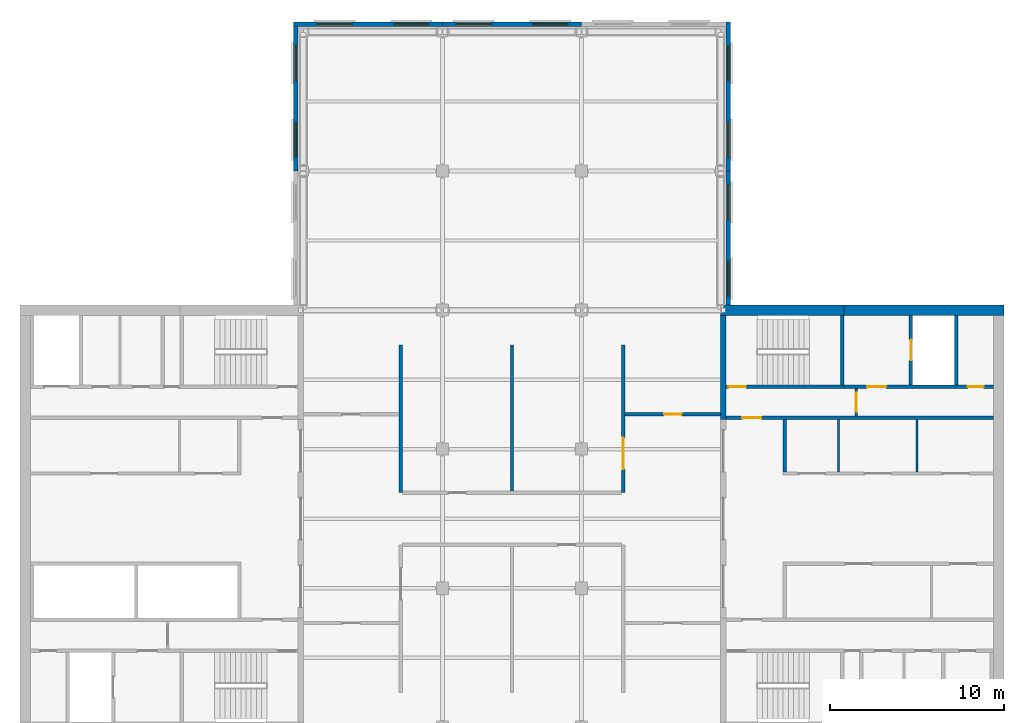
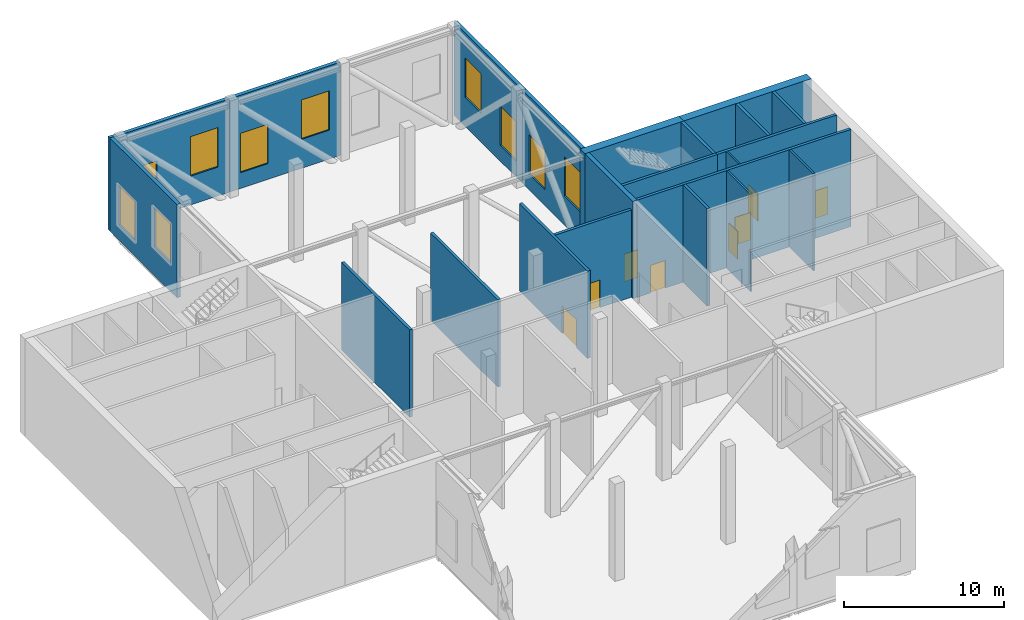
# One storey, part 6 of 10: 22 walls, 10 windows, 8 doors, 18 openings.
"""IFC4 building model written with IfcOpenShell, lengths in metres."""

from ifc_helpers import new_model, si_unit, direction, frame, frame_2d, origin, place, context, subcontext, project, spatial, rectangle, extrude, material, layer, layer_set, constituent, constituent_set, type_object, element, fill, save


model = new_model("IFC4")

# Units and contexts
model_context = context("Model", 3, precision=1e-05, world=origin(), true_north=direction((0.0, 1.0)))
body_context = subcontext(model_context, "Body", "Model", "MODEL_VIEW")
ifc_project = project(units=[si_unit("LENGTHUNIT", "METRE"), si_unit("AREAUNIT", "SQUARE_METRE"), si_unit("VOLUMEUNIT", "CUBIC_METRE"), si_unit("PLANEANGLEUNIT", "RADIAN"), si_unit("MASSUNIT", "GRAM", prefix="KILO")], contexts=[model_context])

# Site, building, storey
site_placement = place(None, origin())
site = spatial("IfcSite", under=ifc_project, at=site_placement, CompositionType="ELEMENT")
building_placement = place(site_placement, origin())
building = spatial("IfcBuilding", under=site, at=building_placement, Name="Crosswind Convention Tower", CompositionType="ELEMENT")
storey_placement = place(building_placement, frame((0.0, 0.0, 237.699951171875)))
storey = spatial("IfcBuildingStorey", under=building, at=storey_placement, Name="L51", CompositionType="ELEMENT", Elevation=237.699951171875)

# Walls
ifc_material_1 = material(Name="Concrete blockwork", Category="masonry")
ifc_layer_1 = layer(ifc_material_1, 0.199951171875)
ifc_layer_set_1 = layer_set([ifc_layer_1], Name="COMPARTMENT WALL 200 BLOCKWORK")
wall_type_1 = type_object("IfcWallType", Name="COMPARTMENT WALL 200 BLOCKWORK", PredefinedType="SOLIDWALL", material=ifc_layer_set_1)
wall_1_placement = place(storey_placement, frame((118.60009765625, 101.5, 0.0), z_axis=(0.0, 0.0, 1.0), x_axis=(0.0, 1.0, 0.0)))
element("IfcWall", 1, at=wall_1_placement, inside=storey, type_object=wall_type_1, Name="Compartment wall WT42", PredefinedType="SOLIDWALL", context=body_context, shape_type="SweptSolid", body=[
    extrude(rectangle(XDim=8.5, YDim=0.199951171875, at=frame_2d((4.25, 0.0))), origin(), (0.0, 0.0, 1.0), 6.642822265625),
])
wall_2_placement = place(storey_placement, frame((125.0, 101.60009765625, 0.0), z_axis=(0.0, 0.0, 1.0), x_axis=(0.0, 1.0, 0.0)))
element("IfcWall", 2, at=wall_2_placement, inside=storey, type_object=wall_type_1, Name="Compartment wall WT42", PredefinedType="SOLIDWALL", context=body_context, shape_type="SweptSolid", body=[
    extrude(rectangle(XDim=8.39990234375, YDim=0.199951171875, at=frame_2d((4.199951171875, 0.0))), origin(), (0.0, 0.0, 1.0), 6.642822265625),
])

# Wall, opening, door
wall_3_placement = place(storey_placement, frame((131.39990234375, 101.5, 0.0), z_axis=(0.0, 0.0, 1.0), x_axis=(0.0, 1.0, 0.0)))
wall_3 = element("IfcWall", 3, at=wall_3_placement, inside=storey, type_object=wall_type_1, Name="Compartment wall WT42", PredefinedType="SOLIDWALL", context=body_context, shape_type="SweptSolid", body=[
    extrude(rectangle(XDim=8.5, YDim=0.199951171875, at=frame_2d((4.25, 0.0))), origin(), (0.0, 0.0, 1.0), 6.642822265625),
])
opening_1_placement = place(wall_3_placement, frame((1.35009765625, 0.0, 0.0)))
opening_1 = element("IfcOpeningElement", 4, at=opening_1_placement, cuts=wall_3, Name="Opening L51-55", PredefinedType="OPENING", context=body_context, shape_type="SweptSolid", body=[
    extrude(rectangle(XDim=1.800048828125, YDim=2.10009765625, at=frame_2d((0.89990234375, 1.050048828125))), frame((0.0, 0.10986328125, 0.0), z_axis=(0.0, -1.0, 0.0), x_axis=(1.0, 0.0, 0.0)), (0.0, 0.0, 1.0), 0.219970703125),
])
ifc_material_2 = material(Name="Steel fire door", Category="steel")
door_type_1 = type_object("IfcDoorType", Name="REFUGE AREA DOUBLE DOOR 1800X2100 FD60S", OperationType="DOUBLE_DOOR_SINGLE_SWING", PredefinedType="DOOR", material=ifc_material_2)
door_1_placement = place(opening_1_placement, origin())
door_1 = element("IfcDoor", 5, at=door_1_placement, inside=storey, type_object=door_type_1, Name="Door L51-55", ObjectType="D47", OperationType="DOUBLE_DOOR_SINGLE_SWING", OverallHeight=2.10009765625, OverallWidth=1.800048828125, PredefinedType="DOOR", context=body_context, shape_type="SweptSolid", body=[
    extrude(rectangle(XDim=1.800048828125, YDim=2.10009765625, at=frame_2d((0.89990234375, 1.050048828125))), frame((0.0, 0.02490234375, 0.0), z_axis=(0.0, -1.0, 0.0), x_axis=(1.0, 0.0, 0.0)), (0.0, 0.0, 1.0), 0.050048828125),
])
fill(opening_1, door_1)

wall_4_placement = place(storey_placement, frame((131.5, 106.0, 0.0), z_axis=(0.0, 0.0, 1.0), x_axis=(1.0, 0.0, 0.0)))
wall_4 = element("IfcWall", 6, at=wall_4_placement, inside=storey, type_object=wall_type_1, Name="Compartment wall WT42", PredefinedType="SOLIDWALL", context=body_context, shape_type="SweptSolid", body=[
    extrude(rectangle(XDim=5.5, YDim=0.199951171875, at=frame_2d((2.75, 0.0))), origin(), (0.0, 0.0, 1.0), 6.642822265625),
])
opening_2_placement = place(wall_4_placement, frame((2.25, 0.0, 0.0)))
opening_2 = element("IfcOpeningElement", 7, at=opening_2_placement, cuts=wall_4, Name="Opening L51-51", PredefinedType="OPENING", context=body_context, shape_type="SweptSolid", body=[
    extrude(rectangle(XDim=1.0, YDim=2.10009765625, at=frame_2d((0.5, 1.050048828125))), frame((0.0, 0.10986328125, 0.0), z_axis=(0.0, -1.0, 0.0), x_axis=(1.0, 0.0, 0.0)), (0.0, 0.0, 1.0), 0.219970703125),
])
door_type_2 = type_object("IfcDoorType", Name="PLANT ROOM DOOR 1000X2100 FD60", OperationType="NOTDEFINED", PredefinedType="DOOR", material=ifc_material_2)
door_2_placement = place(opening_2_placement, origin())
door_2 = element("IfcDoor", 8, at=door_2_placement, inside=storey, type_object=door_type_2, Name="Door L51-51", ObjectType="D43", OperationType="SINGLE_SWING_RIGHT", OverallHeight=2.10009765625, OverallWidth=1.0, PredefinedType="DOOR", context=body_context, shape_type="SweptSolid", body=[
    extrude(rectangle(XDim=1.0, YDim=2.10009765625, at=frame_2d((0.5, 1.050048828125))), frame((0.0, 0.02490234375, 0.0), z_axis=(0.0, -1.0, 0.0), x_axis=(1.0, 0.0, 0.0)), (0.0, 0.0, 1.0), 0.050048828125),
])
fill(opening_2, door_2)

# Walls
ifc_material_3 = material(Name="Concrete C50/60", Category="concrete")
ifc_layer_2 = layer(ifc_material_3, 0.300048828125)
ifc_layer_set_2 = layer_set([ifc_layer_2], Name="Concrete C50/60")
wall_type_2 = type_object("IfcWallType", Name="Concrete inner core wall 300", PredefinedType="SHEAR", material=ifc_layer_set_2)
wall_5_placement = place(storey_placement, frame((137.14990234375, 105.699951171875, 0.0), z_axis=(0.0, 0.0, 1.0), x_axis=(0.0, 1.0, 0.0)))
element("IfcWall", 9, at=wall_5_placement, inside=storey, type_object=wall_type_2, Name="Wall EP E L51", PredefinedType="SHEAR", context=body_context, shape_type="SweptSolid", body=[
    extrude(rectangle(XDim=6.0, YDim=0.300048828125, at=frame_2d((3.0, 0.0))), origin(), (0.0, 0.0, 1.0), 7.400146484375),
])
ifc_layer_3 = layer(ifc_material_3, 0.199951171875)
ifc_layer_set_3 = layer_set([ifc_layer_3], Name="Concrete C50/60")
wall_type_3 = type_object("IfcWallType", Name="Concrete shaft and stair wall 200", PredefinedType="SHEAR", material=ifc_layer_set_3)
wall_6_placement = place(storey_placement, frame((140.699951171875, 102.699951171875, 0.0), z_axis=(0.0, 0.0, 1.0), x_axis=(0.0, 1.0, 0.0)))
element("IfcWall", 10, at=wall_6_placement, inside=storey, type_object=wall_type_3, Name="Wall RPEND E L51", PredefinedType="SHEAR", context=body_context, shape_type="SweptSolid", body=[
    extrude(rectangle(XDim=3.0, YDim=0.199951171875, at=frame_2d((1.5, 0.0))), origin(), (0.0, 0.0, 1.0), 7.400146484375),
])

# Wall, opening, door
wall_7_placement = place(storey_placement, frame((137.300048828125, 105.800048828125, 0.0), z_axis=(0.0, 0.0, 1.0), x_axis=(1.0, 0.0, 0.0)))
wall_7 = element("IfcWall", 11, at=wall_7_placement, inside=storey, type_object=wall_type_3, Name="Wall HP E L51", PredefinedType="SHEAR", context=body_context, shape_type="SweptSolid", body=[
    extrude(rectangle(XDim=15.39990234375, YDim=0.199951171875, at=frame_2d((7.699951171875, 0.0))), origin(), (0.0, 0.0, 1.0), 7.400146484375),
])
opening_3_placement = place(wall_7_placement, frame((0.949951171875, 0.0, 0.0)))
opening_3 = element("IfcOpeningElement", 12, at=opening_3_placement, cuts=wall_7, Name="Opening D104", PredefinedType="OPENING", context=body_context, shape_type="SweptSolid", body=[
    extrude(rectangle(XDim=1.10009765625, YDim=2.10009765625, at=frame_2d((0.550048828125, 1.050048828125))), frame((0.0, 0.10986328125, 0.0), z_axis=(0.0, -1.0, 0.0), x_axis=(1.0, 0.0, 0.0)), (0.0, 0.0, 1.0), 0.219970703125),
])
door_type_3 = type_object("IfcDoorType", Name="Fire-rated single door 1100x2100", OperationType="NOTDEFINED", PredefinedType="DOOR", material=ifc_material_2)
door_3_placement = place(opening_3_placement, origin())
door_3 = element("IfcDoor", 13, at=door_3_placement, inside=storey, type_object=door_type_3, Name="Corridor door L51", ObjectType="D104", OperationType="SINGLE_SWING_LEFT", OverallHeight=2.10009765625, OverallWidth=1.10009765625, PredefinedType="DOOR", context=body_context, shape_type="SweptSolid", body=[
    extrude(rectangle(XDim=1.10009765625, YDim=2.10009765625, at=frame_2d((0.550048828125, 1.050048828125))), frame((0.0, 0.02490234375, 0.0), z_axis=(0.0, -1.0, 0.0), x_axis=(1.0, 0.0, 0.0)), (0.0, 0.0, 1.0), 0.050048828125),
])
fill(opening_3, door_3)

# Wall
wall_8_placement = place(storey_placement, frame((144.0, 107.699951171875, 0.0), z_axis=(0.0, 0.0, 1.0), x_axis=(0.0, 1.0, 0.0)))
element("IfcWall", 14, at=wall_8_placement, inside=storey, type_object=wall_type_3, Name="Wall PSE E L51", PredefinedType="SHEAR", context=body_context, shape_type="SweptSolid", body=[
    extrude(rectangle(XDim=4.0, YDim=0.199951171875, at=frame_2d((2.0, 0.0))), origin(), (0.0, 0.0, 1.0), 7.400146484375),
])

# Wall, opening, door
wall_9_placement = place(storey_placement, frame((147.949951171875, 107.699951171875, 0.0), z_axis=(0.0, 0.0, 1.0), x_axis=(0.0, 1.0, 0.0)))
wall_9 = element("IfcWall", 15, at=wall_9_placement, inside=storey, type_object=wall_type_3, Name="Wall PFLW E L51", PredefinedType="SHEAR", context=body_context, shape_type="SweptSolid", body=[
    extrude(rectangle(XDim=4.0, YDim=0.199951171875, at=frame_2d((2.0, 0.0))), origin(), (0.0, 0.0, 1.0), 7.400146484375),
])
opening_4_placement = place(wall_9_placement, frame((1.39990234375, 0.0, 0.0)))
opening_4 = element("IfcOpeningElement", 16, at=opening_4_placement, cuts=wall_9, Name="Opening LD1", PredefinedType="OPENING", context=body_context, shape_type="SweptSolid", body=[
    extrude(rectangle(XDim=1.199951171875, YDim=2.10009765625, at=frame_2d((0.60009765625, 1.050048828125))), frame((0.0, 0.10986328125, 0.0), z_axis=(0.0, -1.0, 0.0), x_axis=(1.0, 0.0, 0.0)), (0.0, 0.0, 1.0), 0.219970703125),
])
ifc_material_4 = material(Name="Stainless steel", Category="steel")
door_type_4 = type_object("IfcDoorType", Name="Lift landing door 1200x2100", OperationType="DOUBLE_DOOR_SLIDING", PredefinedType="DOOR", material=ifc_material_4)
door_4_placement = place(opening_4_placement, origin())
door_4 = element("IfcDoor", 17, at=door_4_placement, inside=storey, type_object=door_type_4, Name="Landing door FF1 L51", ObjectType="LD1", OperationType="DOUBLE_DOOR_SLIDING", OverallHeight=2.10009765625, OverallWidth=1.199951171875, PredefinedType="DOOR", context=body_context, shape_type="SweptSolid", body=[
    extrude(rectangle(XDim=1.199951171875, YDim=2.10009765625, at=frame_2d((0.60009765625, 1.050048828125))), frame((0.0, 0.02490234375, 0.0), z_axis=(0.0, -1.0, 0.0), x_axis=(1.0, 0.0, 0.0)), (0.0, 0.0, 1.0), 0.050048828125),
])
fill(opening_4, door_4)

# Wall
wall_10_placement = place(storey_placement, frame((150.550048828125, 107.699951171875, 0.0), z_axis=(0.0, 0.0, 1.0), x_axis=(0.0, 1.0, 0.0)))
element("IfcWall", 18, at=wall_10_placement, inside=storey, type_object=wall_type_3, Name="Wall PFSE E L51", PredefinedType="SHEAR", context=body_context, shape_type="SweptSolid", body=[
    extrude(rectangle(XDim=4.0, YDim=0.199951171875, at=frame_2d((2.0, 0.0))), origin(), (0.0, 0.0, 1.0), 7.400146484375),
])

# Wall, opening, door
wall_11_placement = place(storey_placement, frame((137.300048828125, 107.60009765625, 0.0), z_axis=(0.0, 0.0, 1.0), x_axis=(1.0, 0.0, 0.0)))
wall_11 = element("IfcWall", 19, at=wall_11_placement, inside=storey, type_object=wall_type_3, Name="Wall PCW E L51", PredefinedType="SHEAR", context=body_context, shape_type="SweptSolid", body=[
    extrude(rectangle(XDim=6.800048828125, YDim=0.199951171875, at=frame_2d((3.39990234375, 0.0))), origin(), (0.0, 0.0, 1.0), 7.400146484375),
])
opening_5_placement = place(wall_11_placement, frame((0.14990234375, 0.0, 0.0)))
opening_5 = element("IfcOpeningElement", 20, at=opening_5_placement, cuts=wall_11, Name="Opening D103", PredefinedType="OPENING", context=body_context, shape_type="SweptSolid", body=[
    extrude(rectangle(XDim=1.0, YDim=2.10009765625, at=frame_2d((0.5, 1.050048828125))), frame((0.0, 0.10986328125, 0.0), z_axis=(0.0, -1.0, 0.0), x_axis=(1.0, 0.0, 0.0)), (0.0, 0.0, 1.0), 0.219970703125),
])
door_type_5 = type_object("IfcDoorType", Name="Fire-rated single door 1000x2100", OperationType="NOTDEFINED", PredefinedType="DOOR", material=ifc_material_2)
door_5_placement = place(opening_5_placement, origin())
door_5 = element("IfcDoor", 21, at=door_5_placement, inside=storey, type_object=door_type_5, Name="Stair ST1 door L51", ObjectType="D103", OperationType="SINGLE_SWING_LEFT", OverallHeight=2.10009765625, OverallWidth=1.0, PredefinedType="DOOR", context=body_context, shape_type="SweptSolid", body=[
    extrude(rectangle(XDim=1.0, YDim=2.10009765625, at=frame_2d((0.5, 1.050048828125))), frame((0.0, 0.02490234375, 0.0), z_axis=(0.0, -1.0, 0.0), x_axis=(1.0, 0.0, 0.0)), (0.0, 0.0, 1.0), 0.050048828125),
])
fill(opening_5, door_5)

# Wall, openings, doors
wall_12_placement = place(storey_placement, frame((144.10009765625, 107.60009765625, 0.0), z_axis=(0.0, 0.0, 1.0), x_axis=(1.0, 0.0, 0.0)))
wall_12 = element("IfcWall", 22, at=wall_12_placement, inside=storey, type_object=wall_type_3, Name="Wall PCX E L51", PredefinedType="SHEAR", context=body_context, shape_type="SweptSolid", body=[
    extrude(rectangle(XDim=8.599853515625, YDim=0.199951171875, at=frame_2d((4.2998046875, 0.0))), origin(), (0.0, 0.0, 1.0), 7.400146484375),
])
opening_6_placement = place(wall_12_placement, frame((1.324951171875, 0.0, 0.0)))
opening_6 = element("IfcOpeningElement", 23, at=opening_6_placement, cuts=wall_12, Name="Opening D104", PredefinedType="OPENING", context=body_context, shape_type="SweptSolid", body=[
    extrude(rectangle(XDim=1.10009765625, YDim=2.10009765625, at=frame_2d((0.550048828125, 1.050048828125))), frame((0.0, 0.10986328125, 0.0), z_axis=(0.0, -1.0, 0.0), x_axis=(1.0, 0.0, 0.0)), (0.0, 0.0, 1.0), 0.219970703125),
])
opening_7_placement = place(wall_12_placement, frame((7.125, 0.0, 0.0)))
opening_7 = element("IfcOpeningElement", 24, at=opening_7_placement, cuts=wall_12, Name="Opening D106", PredefinedType="OPENING", context=body_context, shape_type="SweptSolid", body=[
    extrude(rectangle(XDim=0.89990234375, YDim=2.10009765625, at=frame_2d((0.449951171875, 1.050048828125))), frame((0.0, 0.10986328125, 0.0), z_axis=(0.0, -1.0, 0.0), x_axis=(1.0, 0.0, 0.0)), (0.0, 0.0, 1.0), 0.219970703125),
])
door_6_placement = place(opening_6_placement, origin())
door_6 = element("IfcDoor", 25, at=door_6_placement, inside=storey, type_object=door_type_3, Name="Fire-fighting lobby FF1 door L51", ObjectType="D104", OperationType="SINGLE_SWING_RIGHT", OverallHeight=2.10009765625, OverallWidth=1.10009765625, PredefinedType="DOOR", context=body_context, shape_type="SweptSolid", body=[
    extrude(rectangle(XDim=1.10009765625, YDim=2.10009765625, at=frame_2d((0.550048828125, 1.050048828125))), frame((0.0, 0.02490234375, 0.0), z_axis=(0.0, -1.0, 0.0), x_axis=(1.0, 0.0, 0.0)), (0.0, 0.0, 1.0), 0.050048828125),
])
fill(opening_6, door_6)
ifc_material_5 = material(Name="Timber door", Category="wood")
door_type_6 = type_object("IfcDoorType", Name="Single leaf door 900x2100", OperationType="NOTDEFINED", PredefinedType="DOOR", material=ifc_material_5)
door_7_placement = place(opening_7_placement, origin())
door_7 = element("IfcDoor", 26, at=door_7_placement, inside=storey, type_object=door_type_6, Name="Door to electrical plant room L51", ObjectType="D106", OperationType="SINGLE_SWING_RIGHT", OverallHeight=2.10009765625, OverallWidth=0.89990234375, PredefinedType="DOOR", context=body_context, shape_type="SweptSolid", body=[
    extrude(rectangle(XDim=0.89990234375, YDim=2.10009765625, at=frame_2d((0.449951171875, 1.050048828125))), frame((0.0, 0.02490234375, 0.0), z_axis=(0.0, -1.0, 0.0), x_axis=(1.0, 0.0, 0.0)), (0.0, 0.0, 1.0), 0.050048828125),
])
fill(opening_7, door_7)

# Walls
ifc_material_6 = material(Name="Gypsum plasterboard partition", Category="gypsum")
ifc_layer_4 = layer(ifc_material_6, 0.125)
ifc_layer_set_4 = layer_set([ifc_layer_4], Name="Drywall partition wall 125")
wall_type_4 = type_object("IfcWallType", Name="Drywall partition wall 125", PredefinedType="PARTITIONING", material=ifc_layer_set_4)
for number, where, z_axis, x_axis, name in (
    (27, (143.77490234375, 102.699951171875, 0.0), (0.0, 0.0, 1.0), (0.0, 1.0, 0.0), "Wall RPP1 E L51"),
    (28, (148.297119140625, 102.699951171875, 0.0), (0.0, 0.0, 1.0), (0.0, 1.0, 0.0), "Wall RPP2 E L51"),
):
    element("IfcWall", number, at=place(storey_placement, frame(where, z_axis=z_axis, x_axis=x_axis)), inside=storey, type_object=wall_type_4, Name=name, PredefinedType="PARTITIONING", context=body_context, shape_type="SweptSolid", body=[
        extrude(rectangle(XDim=3.0, YDim=0.125, at=frame_2d((1.5, 0.0))), origin(), (0.0, 0.0, 1.0), 7.400146484375),
    ])

# Wall, opening, door
wall_13_placement = place(storey_placement, frame((144.800048828125, 105.89990234375, 0.0), z_axis=(0.0, 0.0, 1.0), x_axis=(0.0, 1.0, 0.0)))
wall_13 = element("IfcWall", 29, at=wall_13_placement, inside=storey, type_object=wall_type_4, Name="Wall PXC1 E L51", PredefinedType="PARTITIONING", context=body_context, shape_type="SweptSolid", body=[
    extrude(rectangle(XDim=1.60009765625, YDim=0.125, at=frame_2d((0.800048828125, 0.0))), origin(), (0.0, 0.0, 1.0), 7.400146484375),
])
opening_8_placement = place(wall_13_placement, frame((0.25, 0.0, 0.0)))
opening_8 = element("IfcOpeningElement", 30, at=opening_8_placement, cuts=wall_13, Name="Opening D104", PredefinedType="OPENING", context=body_context, shape_type="SweptSolid", body=[
    extrude(rectangle(XDim=1.10009765625, YDim=2.10009765625, at=frame_2d((0.550048828125, 1.050048828125))), frame((0.0, 0.072509765625, 0.0), z_axis=(0.0, -1.0, 0.0), x_axis=(1.0, 0.0, 0.0)), (0.0, 0.0, 1.0), 0.14501953125),
])
door_8_placement = place(opening_8_placement, origin())
door_8 = element("IfcDoor", 31, at=door_8_placement, inside=storey, type_object=door_type_3, Name="Corridor smoke door L51", ObjectType="D104", OperationType="SINGLE_SWING_RIGHT", OverallHeight=2.10009765625, OverallWidth=1.10009765625, PredefinedType="DOOR", context=body_context, shape_type="SweptSolid", body=[
    extrude(rectangle(XDim=1.10009765625, YDim=2.10009765625, at=frame_2d((0.550048828125, 1.050048828125))), frame((0.0, 0.02490234375, 0.0), z_axis=(0.0, -1.0, 0.0), x_axis=(1.0, 0.0, 0.0)), (0.0, 0.0, 1.0), 0.050048828125),
])
fill(opening_8, door_8)

# Wall, openings, windows
ifc_material_7 = material(Name="Terracotta rainscreen", Category="ceramic")
ifc_layer_5 = layer(ifc_material_7, 0.02001953125)
ifc_material_8 = material(Name="Mineral wool insulation", Category="insulation")
ifc_layer_6 = layer(ifc_material_8, 0.10009765625)
ifc_material_9 = material(Name="Steel S355", Category="steel")
ifc_layer_7 = layer(ifc_material_9, 0.139892578125)
ifc_layer_set_5 = layer_set([ifc_layer_5, ifc_layer_6, ifc_layer_7], Name="Terracotta rainscreen, Mineral wool insulation, Steel S355")
wall_type_5 = type_object("IfcWallType", Name="TERRACOTTA PLANT WALL 260", PredefinedType="SOLIDWALL", material=ifc_layer_set_5)
wall_14_placement = place(storey_placement, frame((137.43505859375, 112.300048828125, 0.0), z_axis=(0.0, 0.0, 1.0), x_axis=(0.0, 1.0, 0.0)))
wall_14 = element("IfcWall", 32, at=wall_14_placement, inside=storey, type_object=wall_type_5, Name="Plant room wall L51 N-E.1-1", PredefinedType="SOLIDWALL", context=body_context, shape_type="SweptSolid", body=[
    extrude(rectangle(XDim=7.699951171875, YDim=0.260009765625, at=frame_2d((3.85009765625, 0.0))), origin(), (0.0, 0.0, 1.0), 7.10009765625),
])
opening_9_placement = place(wall_14_placement, frame((0.5, 0.0, 2.199951171875)))
opening_9 = element("IfcOpeningElement", 33, at=opening_9_placement, cuts=wall_14, Name="Opening W11", PredefinedType="OPENING", context=body_context, shape_type="SweptSolid", body=[
    extrude(rectangle(XDim=2.0, YDim=3.0, at=frame_2d((1.0, 1.5))), frame((0.0, 0.139892578125, 0.0), z_axis=(0.0, -1.0, 0.0), x_axis=(1.0, 0.0, 0.0)), (0.0, 0.0, 1.0), 0.280029296875),
])
opening_10_placement = place(wall_14_placement, frame((4.89990234375, 0.0, 1.199951171875)))
opening_10 = element("IfcOpeningElement", 34, at=opening_10_placement, cuts=wall_14, Name="Opening W11", PredefinedType="OPENING", context=body_context, shape_type="SweptSolid", body=[
    extrude(rectangle(XDim=2.0, YDim=3.0, at=frame_2d((1.0, 1.5))), frame((0.0, 0.139892578125, 0.0), z_axis=(0.0, -1.0, 0.0), x_axis=(1.0, 0.0, 0.0)), (0.0, 0.0, 1.0), 0.280029296875),
])
ifc_material_10 = material(Name="Aluminium louvre", Category="aluminium")
window_type = type_object("IfcWindowType", Name="LOUVRE VENT 2000X3000", PartitioningType="SINGLE_PANEL", PredefinedType="WINDOW", material=ifc_material_10)
window_1_placement = place(opening_9_placement, origin())
window_1 = element("IfcWindow", 35, at=window_1_placement, inside=storey, type_object=window_type, Name="W11 louvre vent L51 N-E.1-1.1", ObjectType="W11", OverallHeight=3.0, OverallWidth=2.0, PartitioningType="SINGLE_PANEL", PredefinedType="WINDOW", context=body_context, shape_type="SweptSolid", body=[
    extrude(rectangle(XDim=2.0, YDim=3.0, at=frame_2d((1.0, 1.5))), frame((0.0, 0.030029296875, 0.0), z_axis=(0.0, -1.0, 0.0), x_axis=(1.0, 0.0, 0.0)), (0.0, 0.0, 1.0), 0.06005859375),
])
fill(opening_9, window_1)
window_2_placement = place(opening_10_placement, origin())
window_2 = element("IfcWindow", 36, at=window_2_placement, inside=storey, type_object=window_type, Name="W11 louvre vent L51 N-E.1-1.2", ObjectType="W11", OverallHeight=3.0, OverallWidth=2.0, PartitioningType="SINGLE_PANEL", PredefinedType="WINDOW", context=body_context, shape_type="SweptSolid", body=[
    extrude(rectangle(XDim=2.0, YDim=3.0, at=frame_2d((1.0, 1.5))), frame((0.0, 0.030029296875, 0.0), z_axis=(0.0, -1.0, 0.0), x_axis=(1.0, 0.0, 0.0)), (0.0, 0.0, 1.0), 0.06005859375),
])
fill(opening_10, window_2)

wall_15_placement = place(storey_placement, frame((137.43505859375, 120.0, 0.0), z_axis=(0.0, 0.0, 1.0), x_axis=(0.0, 1.0, 0.0)))
wall_15 = element("IfcWall", 37, at=wall_15_placement, inside=storey, type_object=wall_type_5, Name="Plant room wall L51 N-E.1-2", PredefinedType="SOLIDWALL", context=body_context, shape_type="SweptSolid", body=[
    extrude(rectangle(XDim=8.56494140625, YDim=0.260009765625, at=frame_2d((4.282470703125, 0.0))), origin(), (0.0, 0.0, 1.0), 7.10009765625),
])
opening_11_placement = place(wall_15_placement, frame((0.800048828125, 0.0, 1.199951171875)))
opening_11 = element("IfcOpeningElement", 38, at=opening_11_placement, cuts=wall_15, Name="Opening W11", PredefinedType="OPENING", context=body_context, shape_type="SweptSolid", body=[
    extrude(rectangle(XDim=2.0, YDim=3.0, at=frame_2d((1.0, 1.5))), frame((0.0, 0.139892578125, 0.0), z_axis=(0.0, -1.0, 0.0), x_axis=(1.0, 0.0, 0.0)), (0.0, 0.0, 1.0), 0.280029296875),
])
opening_12_placement = place(wall_15_placement, frame((5.199951171875, 0.0, 2.199951171875)))
opening_12 = element("IfcOpeningElement", 39, at=opening_12_placement, cuts=wall_15, Name="Opening W11", PredefinedType="OPENING", context=body_context, shape_type="SweptSolid", body=[
    extrude(rectangle(XDim=2.0, YDim=3.0, at=frame_2d((1.0, 1.5))), frame((0.0, 0.139892578125, 0.0), z_axis=(0.0, -1.0, 0.0), x_axis=(1.0, 0.0, 0.0)), (0.0, 0.0, 1.0), 0.280029296875),
])
window_3_placement = place(opening_11_placement, origin())
window_3 = element("IfcWindow", 40, at=window_3_placement, inside=storey, type_object=window_type, Name="W11 louvre vent L51 N-E.1-2.1", ObjectType="W11", OverallHeight=3.0, OverallWidth=2.0, PartitioningType="SINGLE_PANEL", PredefinedType="WINDOW", context=body_context, shape_type="SweptSolid", body=[
    extrude(rectangle(XDim=2.0, YDim=3.0, at=frame_2d((1.0, 1.5))), frame((0.0, 0.030029296875, 0.0), z_axis=(0.0, -1.0, 0.0), x_axis=(1.0, 0.0, 0.0)), (0.0, 0.0, 1.0), 0.06005859375),
])
fill(opening_11, window_3)
window_4_placement = place(opening_12_placement, origin())
window_4 = element("IfcWindow", 41, at=window_4_placement, inside=storey, type_object=window_type, Name="W11 louvre vent L51 N-E.1-2.2", ObjectType="W11", OverallHeight=3.0, OverallWidth=2.0, PartitioningType="SINGLE_PANEL", PredefinedType="WINDOW", context=body_context, shape_type="SweptSolid", body=[
    extrude(rectangle(XDim=2.0, YDim=3.0, at=frame_2d((1.0, 1.5))), frame((0.0, 0.030029296875, 0.0), z_axis=(0.0, -1.0, 0.0), x_axis=(1.0, 0.0, 0.0)), (0.0, 0.0, 1.0), 0.06005859375),
])
fill(opening_12, window_4)

wall_16_placement = place(storey_placement, frame((129.0, 128.43505859375, 0.0), z_axis=(0.0, 0.0, 1.0), x_axis=(-1.0, 0.0, 0.0)))
wall_16 = element("IfcWall", 42, at=wall_16_placement, inside=storey, type_object=wall_type_5, Name="Plant room wall L51 N-TIP.1-2", PredefinedType="SOLIDWALL", context=body_context, shape_type="SweptSolid", body=[
    extrude(rectangle(XDim=8.0, YDim=0.260009765625, at=frame_2d((4.0, 0.0))), origin(), (0.0, 0.0, 1.0), 7.10009765625),
])
opening_13_placement = place(wall_16_placement, frame((0.800048828125, 0.0, 2.199951171875)))
opening_13 = element("IfcOpeningElement", 43, at=opening_13_placement, cuts=wall_16, Name="Opening W11", PredefinedType="OPENING", context=body_context, shape_type="SweptSolid", body=[
    extrude(rectangle(XDim=2.0, YDim=3.0, at=frame_2d((1.0, 1.5))), frame((0.0, 0.139892578125, 0.0), z_axis=(0.0, -1.0, 0.0), x_axis=(1.0, 0.0, 0.0)), (0.0, 0.0, 1.0), 0.280029296875),
])
opening_14_placement = place(wall_16_placement, frame((5.199951171875, 0.0, 1.199951171875)))
opening_14 = element("IfcOpeningElement", 44, at=opening_14_placement, cuts=wall_16, Name="Opening W11", PredefinedType="OPENING", context=body_context, shape_type="SweptSolid", body=[
    extrude(rectangle(XDim=2.0, YDim=3.0, at=frame_2d((1.0, 1.5))), frame((0.0, 0.139892578125, 0.0), z_axis=(0.0, -1.0, 0.0), x_axis=(1.0, 0.0, 0.0)), (0.0, 0.0, 1.0), 0.280029296875),
])
window_5_placement = place(opening_13_placement, origin())
window_5 = element("IfcWindow", 45, at=window_5_placement, inside=storey, type_object=window_type, Name="W11 louvre vent L51 N-TIP.1-2.1", ObjectType="W11", OverallHeight=3.0, OverallWidth=2.0, PartitioningType="SINGLE_PANEL", PredefinedType="WINDOW", context=body_context, shape_type="SweptSolid", body=[
    extrude(rectangle(XDim=2.0, YDim=3.0, at=frame_2d((1.0, 1.5))), frame((0.0, 0.030029296875, 0.0), z_axis=(0.0, -1.0, 0.0), x_axis=(1.0, 0.0, 0.0)), (0.0, 0.0, 1.0), 0.06005859375),
])
fill(opening_13, window_5)
window_6_placement = place(opening_14_placement, origin())
window_6 = element("IfcWindow", 46, at=window_6_placement, inside=storey, type_object=window_type, Name="W11 louvre vent L51 N-TIP.1-2.2", ObjectType="W11", OverallHeight=3.0, OverallWidth=2.0, PartitioningType="SINGLE_PANEL", PredefinedType="WINDOW", context=body_context, shape_type="SweptSolid", body=[
    extrude(rectangle(XDim=2.0, YDim=3.0, at=frame_2d((1.0, 1.5))), frame((0.0, 0.030029296875, 0.0), z_axis=(0.0, -1.0, 0.0), x_axis=(1.0, 0.0, 0.0)), (0.0, 0.0, 1.0), 0.06005859375),
])
fill(opening_14, window_6)

wall_17_placement = place(storey_placement, frame((121.0, 128.43505859375, 0.0), z_axis=(0.0, 0.0, 1.0), x_axis=(-1.0, 0.0, 0.0)))
wall_17 = element("IfcWall", 47, at=wall_17_placement, inside=storey, type_object=wall_type_5, Name="Plant room wall L51 N-TIP.1-3", PredefinedType="SOLIDWALL", context=body_context, shape_type="SweptSolid", body=[
    extrude(rectangle(XDim=8.56494140625, YDim=0.260009765625, at=frame_2d((4.282470703125, 0.0))), origin(), (0.0, 0.0, 1.0), 7.10009765625),
])
opening_15_placement = place(wall_17_placement, frame((0.800048828125, 0.0, 2.199951171875)))
opening_15 = element("IfcOpeningElement", 48, at=opening_15_placement, cuts=wall_17, Name="Opening W11", PredefinedType="OPENING", context=body_context, shape_type="SweptSolid", body=[
    extrude(rectangle(XDim=2.0, YDim=3.0, at=frame_2d((1.0, 1.5))), frame((0.0, 0.139892578125, 0.0), z_axis=(0.0, -1.0, 0.0), x_axis=(1.0, 0.0, 0.0)), (0.0, 0.0, 1.0), 0.280029296875),
])
opening_16_placement = place(wall_17_placement, frame((5.199951171875, 0.0, 1.199951171875)))
opening_16 = element("IfcOpeningElement", 49, at=opening_16_placement, cuts=wall_17, Name="Opening W11", PredefinedType="OPENING", context=body_context, shape_type="SweptSolid", body=[
    extrude(rectangle(XDim=2.0, YDim=3.0, at=frame_2d((1.0, 1.5))), frame((0.0, 0.139892578125, 0.0), z_axis=(0.0, -1.0, 0.0), x_axis=(1.0, 0.0, 0.0)), (0.0, 0.0, 1.0), 0.280029296875),
])
window_7_placement = place(opening_15_placement, origin())
window_7 = element("IfcWindow", 50, at=window_7_placement, inside=storey, type_object=window_type, Name="W11 louvre vent L51 N-TIP.1-3.1", ObjectType="W11", OverallHeight=3.0, OverallWidth=2.0, PartitioningType="SINGLE_PANEL", PredefinedType="WINDOW", context=body_context, shape_type="SweptSolid", body=[
    extrude(rectangle(XDim=2.0, YDim=3.0, at=frame_2d((1.0, 1.5))), frame((0.0, 0.030029296875, 0.0), z_axis=(0.0, -1.0, 0.0), x_axis=(1.0, 0.0, 0.0)), (0.0, 0.0, 1.0), 0.06005859375),
])
fill(opening_15, window_7)
window_8_placement = place(opening_16_placement, origin())
window_8 = element("IfcWindow", 51, at=window_8_placement, inside=storey, type_object=window_type, Name="W11 louvre vent L51 N-TIP.1-3.2", ObjectType="W11", OverallHeight=3.0, OverallWidth=2.0, PartitioningType="SINGLE_PANEL", PredefinedType="WINDOW", context=body_context, shape_type="SweptSolid", body=[
    extrude(rectangle(XDim=2.0, YDim=3.0, at=frame_2d((1.0, 1.5))), frame((0.0, 0.030029296875, 0.0), z_axis=(0.0, -1.0, 0.0), x_axis=(1.0, 0.0, 0.0)), (0.0, 0.0, 1.0), 0.06005859375),
])
fill(opening_16, window_8)

wall_18_placement = place(storey_placement, frame((112.56494140625, 128.35009765625, 0.0), z_axis=(0.0, 0.0, 1.0), x_axis=(0.0, -1.0, 0.0)))
wall_18 = element("IfcWall", 52, at=wall_18_placement, inside=storey, type_object=wall_type_5, Name="Plant room wall L51 N-W.1-1", PredefinedType="SOLIDWALL", context=body_context, shape_type="SweptSolid", body=[
    extrude(rectangle(XDim=8.35009765625, YDim=0.260009765625, at=frame_2d((4.175048828125, 0.0))), origin(), (0.0, 0.0, 1.0), 7.10009765625),
])
opening_17_placement = place(wall_18_placement, frame((1.14990234375, 0.0, 1.199951171875)))
opening_17 = element("IfcOpeningElement", 53, at=opening_17_placement, cuts=wall_18, Name="Opening W11", PredefinedType="OPENING", context=body_context, shape_type="SweptSolid", body=[
    extrude(rectangle(XDim=2.0, YDim=3.0, at=frame_2d((1.0, 1.5))), frame((0.0, 0.139892578125, 0.0), z_axis=(0.0, -1.0, 0.0), x_axis=(1.0, 0.0, 0.0)), (0.0, 0.0, 1.0), 0.280029296875),
])
opening_18_placement = place(wall_18_placement, frame((5.550048828125, 0.0, 2.199951171875)))
opening_18 = element("IfcOpeningElement", 54, at=opening_18_placement, cuts=wall_18, Name="Opening W11", PredefinedType="OPENING", context=body_context, shape_type="SweptSolid", body=[
    extrude(rectangle(XDim=2.0, YDim=3.0, at=frame_2d((1.0, 1.5))), frame((0.0, 0.139892578125, 0.0), z_axis=(0.0, -1.0, 0.0), x_axis=(1.0, 0.0, 0.0)), (0.0, 0.0, 1.0), 0.280029296875),
])
window_9_placement = place(opening_17_placement, origin())
window_9 = element("IfcWindow", 55, at=window_9_placement, inside=storey, type_object=window_type, Name="W11 louvre vent L51 N-W.1-1.1", ObjectType="W11", OverallHeight=3.0, OverallWidth=2.0, PartitioningType="SINGLE_PANEL", PredefinedType="WINDOW", context=body_context, shape_type="SweptSolid", body=[
    extrude(rectangle(XDim=2.0, YDim=3.0, at=frame_2d((1.0, 1.5))), frame((0.0, 0.030029296875, 0.0), z_axis=(0.0, -1.0, 0.0), x_axis=(1.0, 0.0, 0.0)), (0.0, 0.0, 1.0), 0.06005859375),
])
fill(opening_17, window_9)
window_10_placement = place(opening_18_placement, origin())
window_10 = element("IfcWindow", 56, at=window_10_placement, inside=storey, type_object=window_type, Name="W11 louvre vent L51 N-W.1-1.2", ObjectType="W11", OverallHeight=3.0, OverallWidth=2.0, PartitioningType="SINGLE_PANEL", PredefinedType="WINDOW", context=body_context, shape_type="SweptSolid", body=[
    extrude(rectangle(XDim=2.0, YDim=3.0, at=frame_2d((1.0, 1.5))), frame((0.0, 0.030029296875, 0.0), z_axis=(0.0, -1.0, 0.0), x_axis=(1.0, 0.0, 0.0)), (0.0, 0.0, 1.0), 0.06005859375),
])
fill(opening_18, window_10)

# Walls
ifc_material_11 = material(Name="Concrete C60/75", Category="concrete")
ifc_constituent_1 = constituent(ifc_material_11, Name="Structure")
ifc_constituent_2 = constituent(ifc_material_7, Name="Facing")
ifc_constituent_set = constituent_set(constituents=[ifc_constituent_1, ifc_constituent_2], Name="Concrete C60/75, Terracotta rainscreen")
wall_type_6 = type_object("IfcWallType", Name="Terracotta rainscreen on concrete core wall 600", PredefinedType="SHEAR", material=ifc_constituent_set)
wall_19_placement = place(storey_placement, frame((137.0, 112.0, 0.0), z_axis=(0.0, 0.0, 1.0), x_axis=(1.0, 0.0, 0.0)))
element("IfcWall", 57, at=wall_19_placement, inside=storey, type_object=wall_type_6, Name="Wall N1 E L51", PredefinedType="SHEAR", context=body_context, shape_type="SweptSolid", body=[
    extrude(rectangle(XDim=7.10009765625, YDim=0.60009765625, at=frame_2d((3.550048828125, 0.0))), origin(), (0.0, 0.0, 1.0), 7.400146484375),
])
wall_20_placement = place(storey_placement, frame((144.10009765625, 112.0, 0.0), z_axis=(0.0, 0.0, 1.0), x_axis=(1.0, 0.0, 0.0)))
element("IfcWall", 58, at=wall_20_placement, inside=storey, type_object=wall_type_6, Name="Wall N2 E L51", PredefinedType="SHEAR", context=body_context, shape_type="SweptSolid", body=[
    extrude(rectangle(XDim=9.199951171875, YDim=0.60009765625, at=frame_2d((4.60009765625, 0.0))), origin(), (0.0, 0.0, 1.0), 7.400146484375),
])

save(model, "model.ifc")
